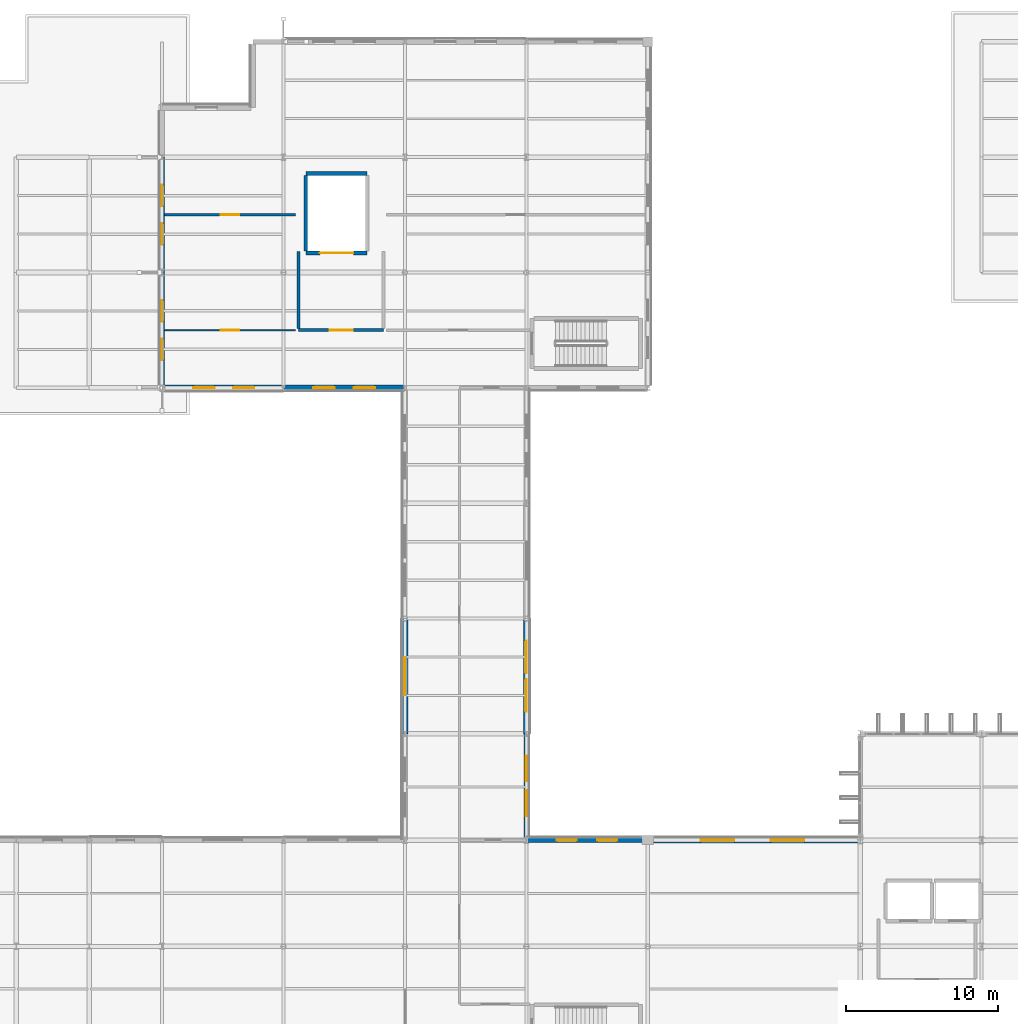
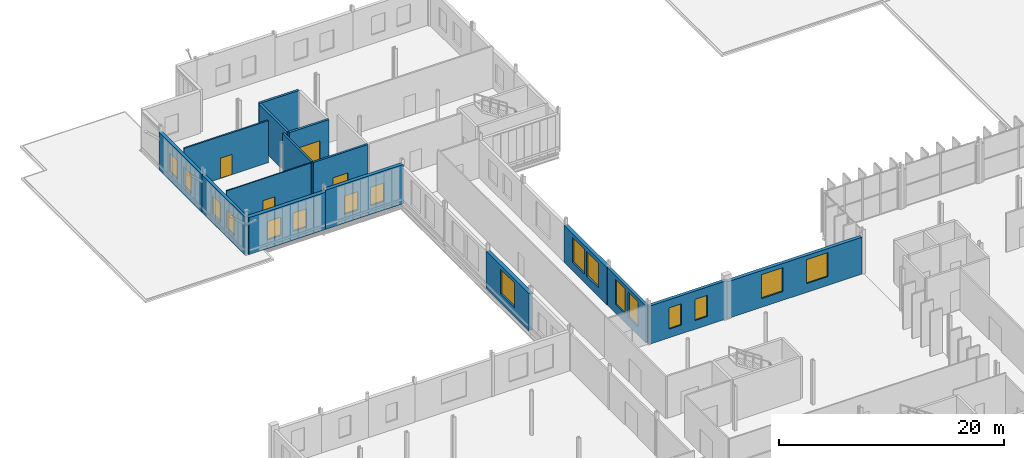
# One storey, part 97 of 120: 17 windows, 16 walls, 4 doors, 21 openings.
"""IFC4 building model written with IfcOpenShell, lengths in metres."""

from ifc_helpers import new_model, si_unit, direction, frame, frame_2d, origin, place, context, subcontext, project, spatial, rectangle, extrude, material, layer, layer_set, type_object, element, fill, save


model = new_model("IFC4")

# Units and contexts
model_context = context("Model", 3, precision=1e-05, world=origin(), true_north=direction((0.0, 1.0)))
body_context = subcontext(model_context, "Body", "Model", "MODEL_VIEW")
ifc_project = project(units=[si_unit("LENGTHUNIT", "METRE"), si_unit("AREAUNIT", "SQUARE_METRE"), si_unit("VOLUMEUNIT", "CUBIC_METRE"), si_unit("PLANEANGLEUNIT", "RADIAN"), si_unit("MASSUNIT", "GRAM", prefix="KILO")], contexts=[model_context])

# Site, building, storey
site_placement = place(None, origin())
site = spatial("IfcSite", under=ifc_project, at=site_placement, CompositionType="ELEMENT")
building_placement = place(site_placement, origin())
building = spatial("IfcBuilding", under=site, at=building_placement, Name="Vekula Escarpment Museum", CompositionType="ELEMENT")
storey_placement = place(building_placement, frame((0.0, 0.0, 13.199951171875)))
storey = spatial("IfcBuildingStorey", under=building, at=storey_placement, Name="L03", CompositionType="ELEMENT", Elevation=13.199951171875)

# Wall, openings, windows
ifc_material_1 = material(Name="Inkisi arkosic sandstone masonry", Category="masonry")
ifc_layer_1 = layer(ifc_material_1, 0.300048828125)
ifc_layer_set_1 = layer_set([ifc_layer_1], Name="Inkisi arkosic sandstone masonry")
wall_type_1 = type_object("IfcWallType", Name="WL-ALM-300", PredefinedType="SOLIDWALL", material=ifc_layer_set_1)
wall_1_placement = place(storey_placement, frame((48.0, 90.39990234375, 0.0), z_axis=(0.0, 0.0, 1.0), x_axis=(0.0, -1.0, 0.0)))
wall_1 = element("IfcWall", 1, at=wall_1_placement, inside=storey, type_object=wall_type_1, Name="Exterior Wall WL-EXT-L03-0651", PredefinedType="SOLIDWALL", context=body_context, shape_type="SweptSolid", body=[
    extrude(rectangle(XDim=6.8359375, YDim=0.300048828125, at=frame_2d((3.41796875, 0.0))), origin(), (0.0, 0.0, 1.0), 4.045166015625),
])
opening_1_placement = place(wall_1_placement, frame((1.4287109375, 0.0, 0.949951171875)))
opening_1 = element("IfcOpeningElement", 2, at=opening_1_placement, cuts=wall_1, Name="Opening WN-19", PredefinedType="OPENING", context=body_context, shape_type="SweptSolid", body=[
    extrude(rectangle(XDim=1.699951171875, YDim=2.699951171875, at=frame_2d((0.85009765625, 1.35009765625))), frame((0.0, 0.159912109375, 0.0), z_axis=(0.0, -1.0, 0.0), x_axis=(1.0, 0.0, 0.0)), (0.0, 0.0, 1.0), 0.320068359375),
])
opening_2_placement = place(wall_1_placement, frame((3.707275390625, 0.0, 0.949951171875)))
opening_2 = element("IfcOpeningElement", 3, at=opening_2_placement, cuts=wall_1, Name="Opening WN-19", PredefinedType="OPENING", context=body_context, shape_type="SweptSolid", body=[
    extrude(rectangle(XDim=1.699951171875, YDim=2.699951171875, at=frame_2d((0.85009765625, 1.35009765625))), frame((0.0, 0.159912109375, 0.0), z_axis=(0.0, -1.0, 0.0), x_axis=(1.0, 0.0, 0.0)), (0.0, 0.0, 1.0), 0.320068359375),
])
ifc_material_2 = material(Name="Double solar-control low-E glass", Category="glass")
window_type_1 = type_object("IfcWindowType", Name="WN-GAL-17x27", PartitioningType="DOUBLE_PANEL_VERTICAL", PredefinedType="WINDOW", material=ifc_material_2)
window_1_placement = place(opening_1_placement, origin())
window_1 = element("IfcWindow", 4, at=window_1_placement, inside=storey, type_object=window_type_1, Name="Window L03-0311", OverallHeight=2.699951171875, OverallWidth=1.699951171875, PartitioningType="SINGLE_PANEL", PredefinedType="WINDOW", context=body_context, shape_type="SweptSolid", body=[
    extrude(rectangle(XDim=1.699951171875, YDim=2.699951171875, at=frame_2d((0.85009765625, 1.35009765625))), frame((0.0, 0.030029296875, 0.0), z_axis=(0.0, -1.0, 0.0), x_axis=(1.0, 0.0, 0.0)), (0.0, 0.0, 1.0), 0.06005859375),
])
fill(opening_1, window_1)
window_2_placement = place(opening_2_placement, origin())
window_2 = element("IfcWindow", 5, at=window_2_placement, inside=storey, type_object=window_type_1, Name="Window L03-0312", OverallHeight=2.699951171875, OverallWidth=1.699951171875, PartitioningType="SINGLE_PANEL", PredefinedType="WINDOW", context=body_context, shape_type="SweptSolid", body=[
    extrude(rectangle(XDim=1.699951171875, YDim=2.699951171875, at=frame_2d((0.85009765625, 1.35009765625))), frame((0.0, 0.030029296875, 0.0), z_axis=(0.0, -1.0, 0.0), x_axis=(1.0, 0.0, 0.0)), (0.0, 0.0, 1.0), 0.06005859375),
])
fill(opening_2, window_2)

wall_2_placement = place(storey_placement, frame((24.0, 113.199951171875, 0.0), z_axis=(0.0, 0.0, 1.0), x_axis=(0.0, 1.0, 0.0)))
wall_2 = element("IfcWall", 6, at=wall_2_placement, inside=storey, type_object=wall_type_1, Name="Exterior Wall WL-EXT-L03-0667", PredefinedType="SOLIDWALL", context=body_context, shape_type="SweptSolid", body=[
    extrude(rectangle(XDim=7.60009765625, YDim=0.300048828125, at=frame_2d((3.800048828125, 0.0))), origin(), (0.0, 0.0, 1.0), 4.0849609375),
])
opening_3_placement = place(wall_2_placement, frame((1.833251953125, 0.0, 0.949951171875)))
opening_3 = element("IfcOpeningElement", 7, at=opening_3_placement, cuts=wall_2, Name="Opening WN-09", PredefinedType="OPENING", context=body_context, shape_type="SweptSolid", body=[
    extrude(rectangle(XDim=1.39990234375, YDim=2.0, at=frame_2d((0.699951171875, 1.0))), frame((0.0, 0.159912109375, 0.0), z_axis=(0.0, -1.0, 0.0), x_axis=(1.0, 0.0, 0.0)), (0.0, 0.0, 1.0), 0.320068359375),
])
opening_4_placement = place(wall_2_placement, frame((4.36669921875, 0.0, 0.949951171875)))
opening_4 = element("IfcOpeningElement", 8, at=opening_4_placement, cuts=wall_2, Name="Opening WN-09", PredefinedType="OPENING", context=body_context, shape_type="SweptSolid", body=[
    extrude(rectangle(XDim=1.39990234375, YDim=2.0, at=frame_2d((0.699951171875, 1.0))), frame((0.0, 0.159912109375, 0.0), z_axis=(0.0, -1.0, 0.0), x_axis=(1.0, 0.0, 0.0)), (0.0, 0.0, 1.0), 0.320068359375),
])
ifc_material_3 = material(Name="Double solar-control low-E glass", Category="glass")
window_type_2 = type_object("IfcWindowType", Name="WN-LAB-14x20", PartitioningType="SINGLE_PANEL", PredefinedType="WINDOW", material=ifc_material_3)
window_3_placement = place(opening_3_placement, origin())
window_3 = element("IfcWindow", 9, at=window_3_placement, inside=storey, type_object=window_type_2, Name="Window L03-0335", OverallHeight=2.0, OverallWidth=1.39990234375, PartitioningType="SINGLE_PANEL", PredefinedType="WINDOW", context=body_context, shape_type="SweptSolid", body=[
    extrude(rectangle(XDim=1.39990234375, YDim=2.0, at=frame_2d((0.699951171875, 1.0))), frame((0.0, 0.030029296875, 0.0), z_axis=(0.0, -1.0, 0.0), x_axis=(1.0, 0.0, 0.0)), (0.0, 0.0, 1.0), 0.06005859375),
])
fill(opening_3, window_3)
window_4_placement = place(opening_4_placement, origin())
window_4 = element("IfcWindow", 10, at=window_4_placement, inside=storey, type_object=window_type_2, Name="Window L03-0336", OverallHeight=2.0, OverallWidth=1.39990234375, PartitioningType="SINGLE_PANEL", PredefinedType="WINDOW", context=body_context, shape_type="SweptSolid", body=[
    extrude(rectangle(XDim=1.39990234375, YDim=2.0, at=frame_2d((0.699951171875, 1.0))), frame((0.0, 0.030029296875, 0.0), z_axis=(0.0, -1.0, 0.0), x_axis=(1.0, 0.0, 0.0)), (0.0, 0.0, 1.0), 0.06005859375),
])
fill(opening_4, window_4)

ifc_material_4 = material(Name="Inkisi arkosic sandstone masonry", Category="masonry")
ifc_layer_2 = layer(ifc_material_4, 0.320068359375)
ifc_layer_set_2 = layer_set([ifc_layer_2], Name="Inkisi arkosic sandstone masonry")
wall_type_2 = type_object("IfcWallType", Name="WL-ALM-320", PredefinedType="SOLIDWALL", material=ifc_layer_set_2)
wall_3_placement = place(storey_placement, frame((48.0, 83.39990234375, 0.0), z_axis=(0.0, 0.0, 1.0), x_axis=(1.0, 0.0, 0.0)))
wall_3 = element("IfcWall", 11, at=wall_3_placement, inside=storey, type_object=wall_type_2, Name="Exterior Wall WL-EXT-L03-0650", PredefinedType="SOLIDWALL", context=body_context, shape_type="SweptSolid", body=[
    extrude(rectangle(XDim=8.0, YDim=0.320068359375, at=frame_2d((4.0, 0.0))), origin(), (0.0, 0.0, 1.0), 4.14501953125),
])
opening_5_placement = place(wall_3_placement, frame((2.0166015625, 0.0, 0.949951171875)))
opening_5 = element("IfcOpeningElement", 12, at=opening_5_placement, cuts=wall_3, Name="Opening WN-17", PredefinedType="OPENING", context=body_context, shape_type="SweptSolid", body=[
    extrude(rectangle(XDim=1.300048828125, YDim=2.300048828125, at=frame_2d((0.64990234375, 1.14990234375))), frame((0.0, 0.169921875, 0.0), z_axis=(0.0, -1.0, 0.0), x_axis=(1.0, 0.0, 0.0)), (0.0, 0.0, 1.0), 0.340087890625),
])
opening_6_placement = place(wall_3_placement, frame((4.683349609375, 0.0, 0.949951171875)))
opening_6 = element("IfcOpeningElement", 13, at=opening_6_placement, cuts=wall_3, Name="Opening WN-17", PredefinedType="OPENING", context=body_context, shape_type="SweptSolid", body=[
    extrude(rectangle(XDim=1.300048828125, YDim=2.300048828125, at=frame_2d((0.64990234375, 1.14990234375))), frame((0.0, 0.169921875, 0.0), z_axis=(0.0, -1.0, 0.0), x_axis=(1.0, 0.0, 0.0)), (0.0, 0.0, 1.0), 0.340087890625),
])
ifc_material_5 = material(Name="Double solar-control low-E glass", Category="glass")
window_type_3 = type_object("IfcWindowType", Name="WN-GAL-13x23", PartitioningType="SINGLE_PANEL", PredefinedType="WINDOW", material=ifc_material_5)
window_5_placement = place(opening_5_placement, origin())
window_5 = element("IfcWindow", 14, at=window_5_placement, inside=storey, type_object=window_type_3, Name="Window L03-0309", OverallHeight=2.300048828125, OverallWidth=1.300048828125, PartitioningType="SINGLE_PANEL", PredefinedType="WINDOW", context=body_context, shape_type="SweptSolid", body=[
    extrude(rectangle(XDim=1.300048828125, YDim=2.300048828125, at=frame_2d((0.64990234375, 1.14990234375))), frame((0.0, 0.030029296875, 0.0), z_axis=(0.0, -1.0, 0.0), x_axis=(1.0, 0.0, 0.0)), (0.0, 0.0, 1.0), 0.06005859375),
])
fill(opening_5, window_5)
window_6_placement = place(opening_6_placement, origin())
window_6 = element("IfcWindow", 15, at=window_6_placement, inside=storey, type_object=window_type_3, Name="Window L03-0310", OverallHeight=2.300048828125, OverallWidth=1.300048828125, PartitioningType="SINGLE_PANEL", PredefinedType="WINDOW", context=body_context, shape_type="SweptSolid", body=[
    extrude(rectangle(XDim=1.300048828125, YDim=2.300048828125, at=frame_2d((0.64990234375, 1.14990234375))), frame((0.0, 0.030029296875, 0.0), z_axis=(0.0, -1.0, 0.0), x_axis=(1.0, 0.0, 0.0)), (0.0, 0.0, 1.0), 0.06005859375),
])
fill(opening_6, window_6)

wall_4_placement = place(storey_placement, frame((24.0, 120.800048828125, 0.0), z_axis=(0.0, 0.0, 1.0), x_axis=(0.0, 1.0, 0.0)))
wall_4 = element("IfcWall", 16, at=wall_4_placement, inside=storey, type_object=wall_type_2, Name="Exterior Wall WL-EXT-L03-0666", PredefinedType="SOLIDWALL", context=body_context, shape_type="SweptSolid", body=[
    extrude(rectangle(XDim=7.599853515625, YDim=0.320068359375, at=frame_2d((3.7998046875, 0.0))), origin(), (0.0, 0.0, 1.0), 4.0849609375),
])
opening_7_placement = place(wall_4_placement, frame((1.833251953125, 0.0, 0.949951171875)))
opening_7 = element("IfcOpeningElement", 17, at=opening_7_placement, cuts=wall_4, Name="Opening WN-09", PredefinedType="OPENING", context=body_context, shape_type="SweptSolid", body=[
    extrude(rectangle(XDim=1.39990234375, YDim=2.0, at=frame_2d((0.699951171875, 1.0))), frame((0.0, 0.169921875, 0.0), z_axis=(0.0, -1.0, 0.0), x_axis=(1.0, 0.0, 0.0)), (0.0, 0.0, 1.0), 0.340087890625),
])
opening_8_placement = place(wall_4_placement, frame((4.36669921875, 0.0, 0.949951171875)))
opening_8 = element("IfcOpeningElement", 18, at=opening_8_placement, cuts=wall_4, Name="Opening WN-09", PredefinedType="OPENING", context=body_context, shape_type="SweptSolid", body=[
    extrude(rectangle(XDim=1.39990234375, YDim=2.0, at=frame_2d((0.699951171875, 1.0))), frame((0.0, 0.169921875, 0.0), z_axis=(0.0, -1.0, 0.0), x_axis=(1.0, 0.0, 0.0)), (0.0, 0.0, 1.0), 0.340087890625),
])
window_7_placement = place(opening_7_placement, origin())
window_7 = element("IfcWindow", 19, at=window_7_placement, inside=storey, type_object=window_type_2, Name="Window L03-0333", OverallHeight=2.0, OverallWidth=1.39990234375, PartitioningType="SINGLE_PANEL", PredefinedType="WINDOW", context=body_context, shape_type="SweptSolid", body=[
    extrude(rectangle(XDim=1.39990234375, YDim=2.0, at=frame_2d((0.699951171875, 1.0))), frame((0.0, 0.030029296875, 0.0), z_axis=(0.0, -1.0, 0.0), x_axis=(1.0, 0.0, 0.0)), (0.0, 0.0, 1.0), 0.06005859375),
])
fill(opening_7, window_7)
window_8_placement = place(opening_8_placement, origin())
window_8 = element("IfcWindow", 20, at=window_8_placement, inside=storey, type_object=window_type_2, Name="Window L03-0334", OverallHeight=2.0, OverallWidth=1.39990234375, PartitioningType="SINGLE_PANEL", PredefinedType="WINDOW", context=body_context, shape_type="SweptSolid", body=[
    extrude(rectangle(XDim=1.39990234375, YDim=2.0, at=frame_2d((0.699951171875, 1.0))), frame((0.0, 0.030029296875, 0.0), z_axis=(0.0, -1.0, 0.0), x_axis=(1.0, 0.0, 0.0)), (0.0, 0.0, 1.0), 0.06005859375),
])
fill(opening_8, window_8)

ifc_material_6 = material(Name="Inkisi arkosic sandstone masonry", Category="masonry")
ifc_layer_3 = layer(ifc_material_6, 0.35009765625)
ifc_layer_set_3 = layer_set([ifc_layer_3], Name="Inkisi arkosic sandstone masonry")
wall_type_3 = type_object("IfcWallType", Name="WL-ALM-350", PredefinedType="SOLIDWALL", material=ifc_layer_set_3)
wall_5_placement = place(storey_placement, frame((56.0, 83.39990234375, 0.0), z_axis=(0.0, 0.0, 1.0), x_axis=(1.0, 0.0, 0.0)))
wall_5 = element("IfcWall", 21, at=wall_5_placement, inside=storey, type_object=wall_type_3, Name="Exterior Wall WL-EXT-L03-0649", PredefinedType="SOLIDWALL", context=body_context, shape_type="SweptSolid", body=[
    extrude(rectangle(XDim=13.821044921875, YDim=0.35009765625, at=frame_2d((6.91064453125, 0.0))), origin(), (0.0, 0.0, 1.0), 3.9951171875),
])
opening_9_placement = place(wall_5_placement, frame((3.507080078125, 0.0, 0.949951171875)))
opening_9 = element("IfcOpeningElement", 22, at=opening_9_placement, cuts=wall_5, Name="Opening WN-16", PredefinedType="OPENING", context=body_context, shape_type="SweptSolid", body=[
    extrude(rectangle(XDim=2.199951171875, YDim=2.60009765625, at=frame_2d((1.10009765625, 1.300048828125))), frame((0.0, 0.18505859375, 0.0), z_axis=(0.0, -1.0, 0.0), x_axis=(1.0, 0.0, 0.0)), (0.0, 0.0, 1.0), 0.3701171875),
])
opening_10_placement = place(wall_5_placement, frame((8.114013671875, 0.0, 0.949951171875)))
opening_10 = element("IfcOpeningElement", 23, at=opening_10_placement, cuts=wall_5, Name="Opening WN-16", PredefinedType="OPENING", context=body_context, shape_type="SweptSolid", body=[
    extrude(rectangle(XDim=2.199951171875, YDim=2.60009765625, at=frame_2d((1.10009765625, 1.300048828125))), frame((0.0, 0.18505859375, 0.0), z_axis=(0.0, -1.0, 0.0), x_axis=(1.0, 0.0, 0.0)), (0.0, 0.0, 1.0), 0.3701171875),
])
ifc_material_7 = material(Name="Double solar-control low-E glass", Category="glass")
window_type_4 = type_object("IfcWindowType", Name="WN-SALON-22x26", PartitioningType="DOUBLE_PANEL_VERTICAL", PredefinedType="WINDOW", material=ifc_material_7)
window_9_placement = place(opening_9_placement, origin())
window_9 = element("IfcWindow", 24, at=window_9_placement, inside=storey, type_object=window_type_4, Name="Window L03-0307", OverallHeight=2.60009765625, OverallWidth=2.199951171875, PartitioningType="SINGLE_PANEL", PredefinedType="WINDOW", context=body_context, shape_type="SweptSolid", body=[
    extrude(rectangle(XDim=2.199951171875, YDim=2.60009765625, at=frame_2d((1.10009765625, 1.300048828125))), frame((0.0, 0.030029296875, 0.0), z_axis=(0.0, -1.0, 0.0), x_axis=(1.0, 0.0, 0.0)), (0.0, 0.0, 1.0), 0.06005859375),
])
fill(opening_9, window_9)
window_10_placement = place(opening_10_placement, origin())
window_10 = element("IfcWindow", 25, at=window_10_placement, inside=storey, type_object=window_type_4, Name="Window L03-0308", OverallHeight=2.60009765625, OverallWidth=2.199951171875, PartitioningType="SINGLE_PANEL", PredefinedType="WINDOW", context=body_context, shape_type="SweptSolid", body=[
    extrude(rectangle(XDim=2.199951171875, YDim=2.60009765625, at=frame_2d((1.10009765625, 1.300048828125))), frame((0.0, 0.030029296875, 0.0), z_axis=(0.0, -1.0, 0.0), x_axis=(1.0, 0.0, 0.0)), (0.0, 0.0, 1.0), 0.06005859375),
])
fill(opening_10, window_10)

wall_6_placement = place(storey_placement, frame((40.0, 113.199951171875, 0.0), z_axis=(0.0, 0.0, 1.0), x_axis=(-1.0, 0.0, 0.0)))
wall_6 = element("IfcWall", 26, at=wall_6_placement, inside=storey, type_object=wall_type_3, Name="Exterior Wall WL-EXT-L03-0669", PredefinedType="SOLIDWALL", context=body_context, shape_type="SweptSolid", body=[
    extrude(rectangle(XDim=8.0, YDim=0.35009765625, at=frame_2d((4.0, 0.0))), origin(), (0.0, 0.0, 1.0), 4.26513671875),
])
opening_11_placement = place(wall_6_placement, frame((1.966796875, 0.0, 0.949951171875)))
opening_11 = element("IfcOpeningElement", 27, at=opening_11_placement, cuts=wall_6, Name="Opening WN-09", PredefinedType="OPENING", context=body_context, shape_type="SweptSolid", body=[
    extrude(rectangle(XDim=1.39990234375, YDim=2.0, at=frame_2d((0.699951171875, 1.0))), frame((0.0, 0.18505859375, 0.0), z_axis=(0.0, -1.0, 0.0), x_axis=(1.0, 0.0, 0.0)), (0.0, 0.0, 1.0), 0.3701171875),
])
opening_12_placement = place(wall_6_placement, frame((4.63330078125, 0.0, 0.949951171875)))
opening_12 = element("IfcOpeningElement", 28, at=opening_12_placement, cuts=wall_6, Name="Opening WN-09", PredefinedType="OPENING", context=body_context, shape_type="SweptSolid", body=[
    extrude(rectangle(XDim=1.39990234375, YDim=2.0, at=frame_2d((0.699951171875, 1.0))), frame((0.0, 0.18505859375, 0.0), z_axis=(0.0, -1.0, 0.0), x_axis=(1.0, 0.0, 0.0)), (0.0, 0.0, 1.0), 0.3701171875),
])
window_11_placement = place(opening_11_placement, origin())
window_11 = element("IfcWindow", 29, at=window_11_placement, inside=storey, type_object=window_type_2, Name="Window L03-0339", OverallHeight=2.0, OverallWidth=1.39990234375, PartitioningType="SINGLE_PANEL", PredefinedType="WINDOW", context=body_context, shape_type="SweptSolid", body=[
    extrude(rectangle(XDim=1.39990234375, YDim=2.0, at=frame_2d((0.699951171875, 1.0))), frame((0.0, 0.030029296875, 0.0), z_axis=(0.0, -1.0, 0.0), x_axis=(1.0, 0.0, 0.0)), (0.0, 0.0, 1.0), 0.06005859375),
])
fill(opening_11, window_11)
window_12_placement = place(opening_12_placement, origin())
window_12 = element("IfcWindow", 30, at=window_12_placement, inside=storey, type_object=window_type_2, Name="Window L03-0340", OverallHeight=2.0, OverallWidth=1.39990234375, PartitioningType="SINGLE_PANEL", PredefinedType="WINDOW", context=body_context, shape_type="SweptSolid", body=[
    extrude(rectangle(XDim=1.39990234375, YDim=2.0, at=frame_2d((0.699951171875, 1.0))), frame((0.0, 0.030029296875, 0.0), z_axis=(0.0, -1.0, 0.0), x_axis=(1.0, 0.0, 0.0)), (0.0, 0.0, 1.0), 0.06005859375),
])
fill(opening_12, window_12)

ifc_material_8 = material(Name="Inkisi arkosic sandstone masonry", Category="masonry")
ifc_layer_4 = layer(ifc_material_8, 0.3798828125)
ifc_layer_set_4 = layer_set([ifc_layer_4], Name="Inkisi arkosic sandstone masonry")
wall_type_4 = type_object("IfcWallType", Name="WL-ALM-380", PredefinedType="SOLIDWALL", material=ifc_layer_set_4)
wall_7_placement = place(storey_placement, frame((48.0, 98.0, 0.0), z_axis=(0.0, 0.0, 1.0), x_axis=(0.0, -1.0, 0.0)))
wall_7 = element("IfcWall", 31, at=wall_7_placement, inside=storey, type_object=wall_type_4, Name="Exterior Wall WL-EXT-L03-0652", PredefinedType="SOLIDWALL", context=body_context, shape_type="SweptSolid", body=[
    extrude(rectangle(XDim=7.60009765625, YDim=0.3798828125, at=frame_2d((3.800048828125, 0.0))), origin(), (0.0, 0.0, 1.0), 4.045166015625),
])
opening_13_placement = place(wall_7_placement, frame((1.458251953125, 0.0, 0.949951171875)))
opening_13 = element("IfcOpeningElement", 32, at=opening_13_placement, cuts=wall_7, Name="Opening WN-21", PredefinedType="OPENING", context=body_context, shape_type="SweptSolid", body=[
    extrude(rectangle(XDim=2.14990234375, YDim=2.699951171875, at=frame_2d((1.074951171875, 1.35009765625))), frame((0.0, 0.199951171875, 0.0), z_axis=(0.0, -1.0, 0.0), x_axis=(1.0, 0.0, 0.0)), (0.0, 0.0, 1.0), 0.39990234375),
])
opening_14_placement = place(wall_7_placement, frame((3.99169921875, 0.0, 0.949951171875)))
opening_14 = element("IfcOpeningElement", 33, at=opening_14_placement, cuts=wall_7, Name="Opening WN-21", PredefinedType="OPENING", context=body_context, shape_type="SweptSolid", body=[
    extrude(rectangle(XDim=2.14990234375, YDim=2.699951171875, at=frame_2d((1.074951171875, 1.35009765625))), frame((0.0, 0.199951171875, 0.0), z_axis=(0.0, -1.0, 0.0), x_axis=(1.0, 0.0, 0.0)), (0.0, 0.0, 1.0), 0.39990234375),
])
ifc_material_9 = material(Name="Double solar-control low-E glass", Category="glass")
window_type_5 = type_object("IfcWindowType", Name="WN-GAL-21x31", PartitioningType="DOUBLE_PANEL_VERTICAL", PredefinedType="WINDOW", material=ifc_material_9)
window_13_placement = place(opening_13_placement, origin())
window_13 = element("IfcWindow", 34, at=window_13_placement, inside=storey, type_object=window_type_5, Name="Window L03-0313", OverallHeight=2.699951171875, OverallWidth=2.14990234375, PartitioningType="SINGLE_PANEL", PredefinedType="WINDOW", context=body_context, shape_type="SweptSolid", body=[
    extrude(rectangle(XDim=2.14990234375, YDim=2.699951171875, at=frame_2d((1.074951171875, 1.35009765625))), frame((0.0, 0.030029296875, 0.0), z_axis=(0.0, -1.0, 0.0), x_axis=(1.0, 0.0, 0.0)), (0.0, 0.0, 1.0), 0.06005859375),
])
fill(opening_13, window_13)
window_14_placement = place(opening_14_placement, origin())
window_14 = element("IfcWindow", 35, at=window_14_placement, inside=storey, type_object=window_type_5, Name="Window L03-0314", OverallHeight=2.699951171875, OverallWidth=2.14990234375, PartitioningType="SINGLE_PANEL", PredefinedType="WINDOW", context=body_context, shape_type="SweptSolid", body=[
    extrude(rectangle(XDim=2.14990234375, YDim=2.699951171875, at=frame_2d((1.074951171875, 1.35009765625))), frame((0.0, 0.030029296875, 0.0), z_axis=(0.0, -1.0, 0.0), x_axis=(1.0, 0.0, 0.0)), (0.0, 0.0, 1.0), 0.06005859375),
])
fill(opening_14, window_14)

wall_8_placement = place(storey_placement, frame((32.0, 113.199951171875, 0.0), z_axis=(0.0, 0.0, 1.0), x_axis=(-1.0, 0.0, 0.0)))
wall_8 = element("IfcWall", 36, at=wall_8_placement, inside=storey, type_object=wall_type_4, Name="Exterior Wall WL-EXT-L03-0668", PredefinedType="SOLIDWALL", context=body_context, shape_type="SweptSolid", body=[
    extrude(rectangle(XDim=7.845947265625, YDim=0.3798828125, at=frame_2d((3.9228515625, 0.0))), origin(), (0.0, 0.0, 1.0), 4.045166015625),
])
opening_15_placement = place(wall_8_placement, frame((1.915283203125, 0.0, 0.949951171875)))
opening_15 = element("IfcOpeningElement", 37, at=opening_15_placement, cuts=wall_8, Name="Opening WN-09", PredefinedType="OPENING", context=body_context, shape_type="SweptSolid", body=[
    extrude(rectangle(XDim=1.39990234375, YDim=2.0, at=frame_2d((0.699951171875, 1.0))), frame((0.0, 0.199951171875, 0.0), z_axis=(0.0, -1.0, 0.0), x_axis=(1.0, 0.0, 0.0)), (0.0, 0.0, 1.0), 0.39990234375),
])
opening_16_placement = place(wall_8_placement, frame((4.53076171875, 0.0, 0.949951171875)))
opening_16 = element("IfcOpeningElement", 38, at=opening_16_placement, cuts=wall_8, Name="Opening WN-09", PredefinedType="OPENING", context=body_context, shape_type="SweptSolid", body=[
    extrude(rectangle(XDim=1.39990234375, YDim=2.0, at=frame_2d((0.699951171875, 1.0))), frame((0.0, 0.199951171875, 0.0), z_axis=(0.0, -1.0, 0.0), x_axis=(1.0, 0.0, 0.0)), (0.0, 0.0, 1.0), 0.39990234375),
])
window_15_placement = place(opening_15_placement, origin())
window_15 = element("IfcWindow", 39, at=window_15_placement, inside=storey, type_object=window_type_2, Name="Window L03-0337", OverallHeight=2.0, OverallWidth=1.39990234375, PartitioningType="SINGLE_PANEL", PredefinedType="WINDOW", context=body_context, shape_type="SweptSolid", body=[
    extrude(rectangle(XDim=1.39990234375, YDim=2.0, at=frame_2d((0.699951171875, 1.0))), frame((0.0, 0.030029296875, 0.0), z_axis=(0.0, -1.0, 0.0), x_axis=(1.0, 0.0, 0.0)), (0.0, 0.0, 1.0), 0.06005859375),
])
fill(opening_15, window_15)
window_16_placement = place(opening_16_placement, origin())
window_16 = element("IfcWindow", 40, at=window_16_placement, inside=storey, type_object=window_type_2, Name="Window L03-0338", OverallHeight=2.0, OverallWidth=1.39990234375, PartitioningType="SINGLE_PANEL", PredefinedType="WINDOW", context=body_context, shape_type="SweptSolid", body=[
    extrude(rectangle(XDim=1.39990234375, YDim=2.0, at=frame_2d((0.699951171875, 1.0))), frame((0.0, 0.030029296875, 0.0), z_axis=(0.0, -1.0, 0.0), x_axis=(1.0, 0.0, 0.0)), (0.0, 0.0, 1.0), 0.06005859375),
])
fill(opening_16, window_16)

# Wall, opening, window
wall_9_placement = place(storey_placement, frame((40.0, 90.39990234375, 0.0), z_axis=(0.0, 0.0, 1.0), x_axis=(0.0, 1.0, 0.0)))
wall_9 = element("IfcWall", 41, at=wall_9_placement, inside=storey, type_object=wall_type_4, Name="Exterior Wall WL-EXT-L03-0672", PredefinedType="SOLIDWALL", context=body_context, shape_type="SweptSolid", body=[
    extrude(rectangle(XDim=7.60009765625, YDim=0.3798828125, at=frame_2d((3.800048828125, 0.0))), origin(), (0.0, 0.0, 1.0), 4.045166015625),
])
opening_17_placement = place(wall_9_placement, frame((2.550048828125, 0.0, 0.949951171875)))
opening_17 = element("IfcOpeningElement", 42, at=opening_17_placement, cuts=wall_9, Name="Opening WN-23", PredefinedType="OPENING", context=body_context, shape_type="SweptSolid", body=[
    extrude(rectangle(XDim=2.5, YDim=2.699951171875, at=frame_2d((1.25, 1.35009765625))), frame((0.0, 0.199951171875, 0.0), z_axis=(0.0, -1.0, 0.0), x_axis=(1.0, 0.0, 0.0)), (0.0, 0.0, 1.0), 0.39990234375),
])
ifc_material_10 = material(Name="Double solar-control low-E glass", Category="glass")
window_type_6 = type_object("IfcWindowType", Name="WN-GAL-25x35", PartitioningType="TRIPLE_PANEL_VERTICAL", PredefinedType="WINDOW", material=ifc_material_10)
window_17_placement = place(opening_17_placement, origin())
window_17 = element("IfcWindow", 43, at=window_17_placement, inside=storey, type_object=window_type_6, Name="Window L03-0345", OverallHeight=2.699951171875, OverallWidth=2.5, PartitioningType="SINGLE_PANEL", PredefinedType="WINDOW", context=body_context, shape_type="SweptSolid", body=[
    extrude(rectangle(XDim=2.5, YDim=2.699951171875, at=frame_2d((1.25, 1.35009765625))), frame((0.0, 0.030029296875, 0.0), z_axis=(0.0, -1.0, 0.0), x_axis=(1.0, 0.0, 0.0)), (0.0, 0.0, 1.0), 0.06005859375),
])
fill(opening_17, window_17)

# Wall, opening, door
ifc_material_11 = material(Name="Concrete C35/45", Category="concrete")
ifc_layer_5 = layer(ifc_material_11, 0.199951171875)
ifc_layer_set_5 = layer_set([ifc_layer_5], Name="Concrete C35/45")
wall_type_5 = type_object("IfcWallType", Name="WL-FFL-200", PredefinedType="PARTITIONING", material=ifc_layer_set_5)
wall_10_placement = place(storey_placement, frame((33.0, 117.0, 0.0), z_axis=(0.0, 0.0, 1.0), x_axis=(1.0, 0.0, 0.0)))
wall_10 = element("IfcWall", 44, at=wall_10_placement, inside=storey, type_object=wall_type_5, Name="Lift Lobby Wall GL-01 L03 S", PredefinedType="PARTITIONING", context=body_context, shape_type="SweptSolid", body=[
    extrude(rectangle(XDim=5.60009765625, YDim=0.199951171875, at=frame_2d((2.800048828125, 0.0))), origin(), (0.0, 0.0, 1.0), 4.56005859375),
])
opening_18_placement = place(wall_10_placement, frame((2.050048828125, 0.0, 0.0)))
opening_18 = element("IfcOpeningElement", 45, at=opening_18_placement, cuts=wall_10, Name="Opening DR-FD60L", PredefinedType="OPENING", context=body_context, shape_type="SweptSolid", body=[
    extrude(rectangle(XDim=1.5, YDim=2.199951171875, at=frame_2d((0.75, 1.10009765625))), frame((0.0, 0.10986328125, 0.0), z_axis=(0.0, -1.0, 0.0), x_axis=(1.0, 0.0, 0.0)), (0.0, 0.0, 1.0), 0.219970703125),
])
ifc_material_12 = material(Name="Fire-rated glazed lobby door", Category="steel")
door_type_1 = type_object("IfcDoorType", Name="DR-FFLOB-1500x2200", OperationType="NOTDEFINED", PredefinedType="DOOR", material=ifc_material_12)
door_1_placement = place(opening_18_placement, origin())
door_1 = element("IfcDoor", 46, at=door_1_placement, inside=storey, type_object=door_type_1, Name="Lift Lobby Fire Door GL-01 L03", OperationType="SINGLE_SWING_LEFT", OverallHeight=2.199951171875, OverallWidth=1.5, PredefinedType="DOOR", context=body_context, shape_type="SweptSolid", body=[
    extrude(rectangle(XDim=1.5, YDim=2.199951171875, at=frame_2d((0.75, 1.10009765625))), frame((0.0, 0.02490234375, 0.0), z_axis=(0.0, -1.0, 0.0), x_axis=(1.0, 0.0, 0.0)), (0.0, 0.0, 1.0), 0.050048828125),
])
fill(opening_18, door_1)

# Wall
wall_11_placement = place(storey_placement, frame((33.0, 117.10400390625, 0.0), z_axis=(0.0, 0.0, 1.0), x_axis=(0.0, 1.0, 0.0)))
element("IfcWall", 47, at=wall_11_placement, inside=storey, type_object=wall_type_5, Name="Lift Lobby Wall GL-01 L03 W", PredefinedType="PARTITIONING", context=body_context, shape_type="SweptSolid", body=[
    extrude(rectangle(XDim=5.095947265625, YDim=0.199951171875, at=frame_2d((2.5478515625, 0.0))), origin(), (0.0, 0.0, 1.0), 4.56005859375),
])

# Wall, opening, door
ifc_material_13 = material(Name="Lightweight studio partition", Category="gypsum")
ifc_layer_6 = layer(ifc_material_13, 0.1201171875)
ifc_layer_set_6 = layer_set([ifc_layer_6], Name="Lightweight studio partition")
wall_type_6 = type_object("IfcWallType", Name="WL-PART-120", PredefinedType="PARTITIONING", material=ifc_layer_set_6)
wall_12_placement = place(storey_placement, frame((24.154052734375, 117.0, 0.0), z_axis=(0.0, 0.0, 1.0), x_axis=(1.0, 0.0, 0.0)))
wall_12 = element("IfcWall", 48, at=wall_12_placement, inside=storey, type_object=wall_type_6, Name="Interior Partition WL-INT-L03-0003", PredefinedType="PARTITIONING", context=body_context, shape_type="SweptSolid", body=[
    extrude(rectangle(XDim=8.64599609375, YDim=0.1201171875, at=frame_2d((4.322998046875, 0.0))), origin(), (0.0, 0.0, 1.0), 4.56005859375),
])
opening_19_placement = place(wall_12_placement, frame((3.722900390625, 0.0, 0.0)))
opening_19 = element("IfcOpeningElement", 49, at=opening_19_placement, cuts=wall_12, Name="Opening DR-LB12", PredefinedType="OPENING", context=body_context, shape_type="SweptSolid", body=[
    extrude(rectangle(XDim=1.199951171875, YDim=2.199951171875, at=frame_2d((0.60009765625, 1.10009765625))), frame((0.0, 0.070068359375, 0.0), z_axis=(0.0, -1.0, 0.0), x_axis=(1.0, 0.0, 0.0)), (0.0, 0.0, 1.0), 0.14013671875),
])
ifc_material_14 = material(Name="Sealed conservation laboratory door", Category="steel")
door_type_2 = type_object("IfcDoorType", Name="DR-LAB-1200x2200", OperationType="NOTDEFINED", PredefinedType="DOOR", material=ifc_material_14)
door_2_placement = place(opening_19_placement, origin())
door_2 = element("IfcDoor", 50, at=door_2_placement, inside=storey, type_object=door_type_2, Name="Interior Door L03-003", OperationType="SINGLE_SWING_RIGHT", OverallHeight=2.199951171875, OverallWidth=1.199951171875, PredefinedType="DOOR", context=body_context, shape_type="SweptSolid", body=[
    extrude(rectangle(XDim=1.199951171875, YDim=2.199951171875, at=frame_2d((0.60009765625, 1.10009765625))), frame((0.0, 0.02490234375, 0.0), z_axis=(0.0, -1.0, 0.0), x_axis=(1.0, 0.0, 0.0)), (0.0, 0.0, 1.0), 0.050048828125),
])
fill(opening_19, door_2)

ifc_material_15 = material(Name="Gypsum board gallery partition", Category="gypsum")
ifc_layer_7 = layer(ifc_material_15, 0.159912109375)
ifc_layer_set_7 = layer_set([ifc_layer_7], Name="Gypsum board gallery partition")
wall_type_7 = type_object("IfcWallType", Name="WL-PART-160", PredefinedType="PARTITIONING", material=ifc_layer_set_7)
wall_13_placement = place(storey_placement, frame((24.1640625, 124.60009765625, 0.0), z_axis=(0.0, 0.0, 1.0), x_axis=(1.0, 0.0, 0.0)))
wall_13 = element("IfcWall", 51, at=wall_13_placement, inside=storey, type_object=wall_type_7, Name="Interior Partition WL-INT-L03-0001", PredefinedType="PARTITIONING", context=body_context, shape_type="SweptSolid", body=[
    extrude(rectangle(XDim=8.635986328125, YDim=0.159912109375, at=frame_2d((4.31787109375, 0.0))), origin(), (0.0, 0.0, 1.0), 4.56005859375),
])
opening_20_placement = place(wall_13_placement, frame((3.718017578125, 0.0, 0.0)))
opening_20 = element("IfcOpeningElement", 52, at=opening_20_placement, cuts=wall_13, Name="Opening DR-LB12", PredefinedType="OPENING", context=body_context, shape_type="SweptSolid", body=[
    extrude(rectangle(XDim=1.199951171875, YDim=2.199951171875, at=frame_2d((0.60009765625, 1.10009765625))), frame((0.0, 0.08984375, 0.0), z_axis=(0.0, -1.0, 0.0), x_axis=(1.0, 0.0, 0.0)), (0.0, 0.0, 1.0), 0.179931640625),
])
door_3_placement = place(opening_20_placement, origin())
door_3 = element("IfcDoor", 53, at=door_3_placement, inside=storey, type_object=door_type_2, Name="Interior Door L03-001", OperationType="SINGLE_SWING_RIGHT", OverallHeight=2.199951171875, OverallWidth=1.199951171875, PredefinedType="DOOR", context=body_context, shape_type="SweptSolid", body=[
    extrude(rectangle(XDim=1.199951171875, YDim=2.199951171875, at=frame_2d((0.60009765625, 1.10009765625))), frame((0.0, 0.02490234375, 0.0), z_axis=(0.0, -1.0, 0.0), x_axis=(1.0, 0.0, 0.0)), (0.0, 0.0, 1.0), 0.050048828125),
])
fill(opening_20, door_3)

ifc_material_16 = material(Name="Concrete C35/45", Category="concrete")
ifc_layer_8 = layer(ifc_material_16, 0.239990234375)
ifc_layer_set_8 = layer_set([ifc_layer_8], Name="Concrete C35/45")
wall_type_8 = type_object("IfcWallType", Name="WL-SHF-240", PredefinedType="SHEAR", material=ifc_layer_set_8)
wall_14_placement = place(storey_placement, frame((33.47998046875, 122.080078125, 0.0), z_axis=(0.0, 0.0, 1.0), x_axis=(1.0, 0.0, 0.0)))
wall_14 = element("IfcWall", 54, at=wall_14_placement, inside=storey, type_object=wall_type_8, Name="Lift Shaft Wall GL-01 L03 S", PredefinedType="SHEAR", context=body_context, shape_type="SweptSolid", body=[
    extrude(rectangle(XDim=4.0400390625, YDim=0.239990234375, at=frame_2d((2.02001953125, 0.0))), origin(), (0.0, 0.0, 1.0), 4.56005859375),
])
opening_21_placement = place(wall_14_placement, frame((0.919921875, 0.0, 0.0)))
opening_21 = element("IfcOpeningElement", 55, at=opening_21_placement, cuts=wall_14, Name="Opening LD-GDS", PredefinedType="OPENING", context=body_context, shape_type="SweptSolid", body=[
    extrude(rectangle(XDim=2.199951171875, YDim=2.60009765625, at=frame_2d((1.10009765625, 1.300048828125))), frame((0.0, 0.1298828125, 0.0), z_axis=(0.0, -1.0, 0.0), x_axis=(1.0, 0.0, 0.0)), (0.0, 0.0, 1.0), 0.260009765625),
])
ifc_material_17 = material(Name="Heavy-duty bi-parting goods lift landing door", Category="steel")
door_type_3 = type_object("IfcDoorType", Name="DR-LD-GDS-2200", OperationType="DOUBLE_DOOR_SLIDING", PredefinedType="DOOR", material=ifc_material_17)
door_4_placement = place(opening_21_placement, origin())
door_4 = element("IfcDoor", 56, at=door_4_placement, inside=storey, type_object=door_type_3, Name="Sliding Lift Landing Door GL-01 L03", OperationType="DOUBLE_DOOR_SLIDING", OverallHeight=2.60009765625, OverallWidth=2.199951171875, PredefinedType="DOOR", context=body_context, shape_type="SweptSolid", body=[
    extrude(rectangle(XDim=2.199951171875, YDim=2.60009765625, at=frame_2d((1.10009765625, 1.300048828125))), frame((0.0, 0.02490234375, 0.0), z_axis=(0.0, -1.0, 0.0), x_axis=(1.0, 0.0, 0.0)), (0.0, 0.0, 1.0), 0.050048828125),
])
fill(opening_21, door_4)

# Walls
wall_15_placement = place(storey_placement, frame((33.47998046875, 127.320068359375, 0.0), z_axis=(0.0, 0.0, 1.0), x_axis=(1.0, 0.0, 0.0)))
element("IfcWall", 57, at=wall_15_placement, inside=storey, type_object=wall_type_8, Name="Lift Shaft Wall GL-01 L03 N", PredefinedType="SHEAR", context=body_context, shape_type="SweptSolid", body=[
    extrude(rectangle(XDim=4.0400390625, YDim=0.239990234375, at=frame_2d((2.02001953125, 0.0))), origin(), (0.0, 0.0, 1.0), 4.56005859375),
])
wall_16_placement = place(storey_placement, frame((33.47998046875, 122.2041015625, 0.0), z_axis=(0.0, 0.0, 1.0), x_axis=(0.0, 1.0, 0.0)))
element("IfcWall", 58, at=wall_16_placement, inside=storey, type_object=wall_type_8, Name="Lift Shaft Wall GL-01 L03 W", PredefinedType="SHEAR", context=body_context, shape_type="SweptSolid", body=[
    extrude(rectangle(XDim=4.991943359375, YDim=0.239990234375, at=frame_2d((2.49609375, 0.0))), origin(), (0.0, 0.0, 1.0), 4.56005859375),
])

save(model, "model.ifc")
